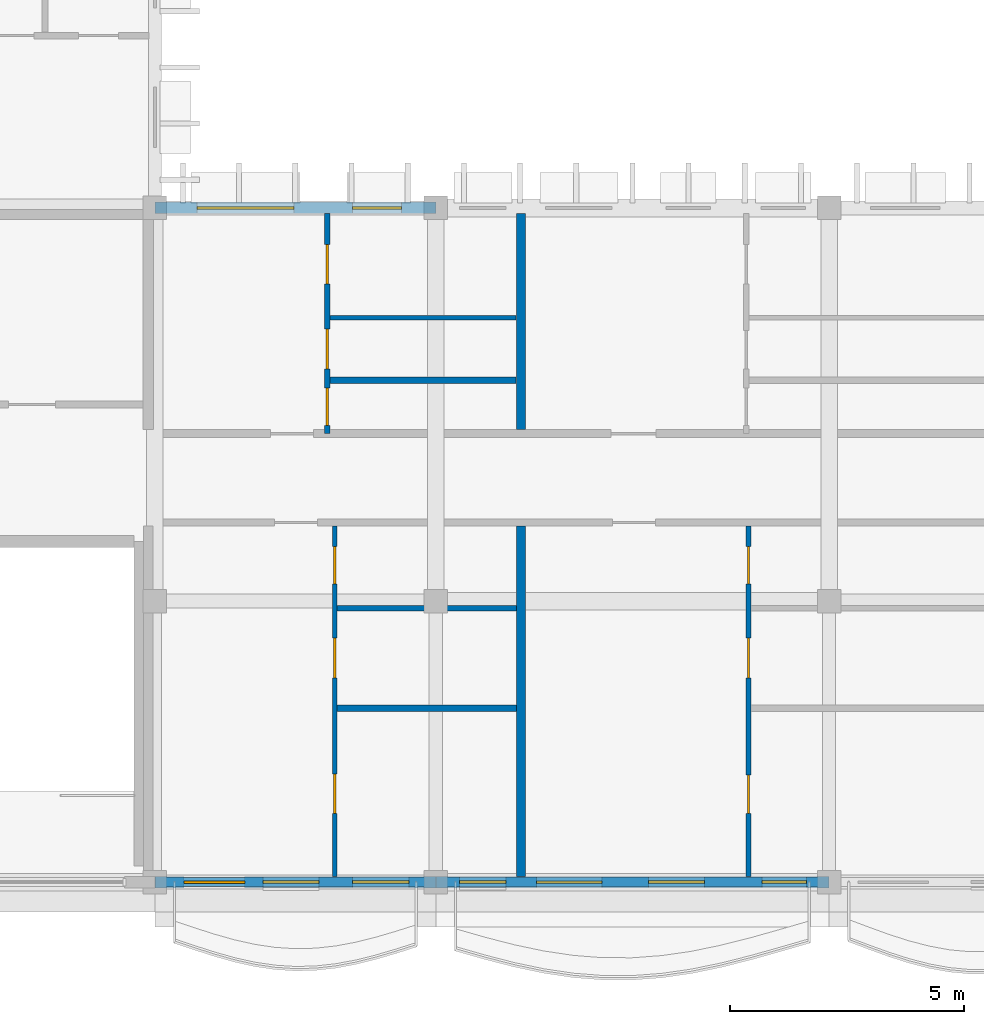
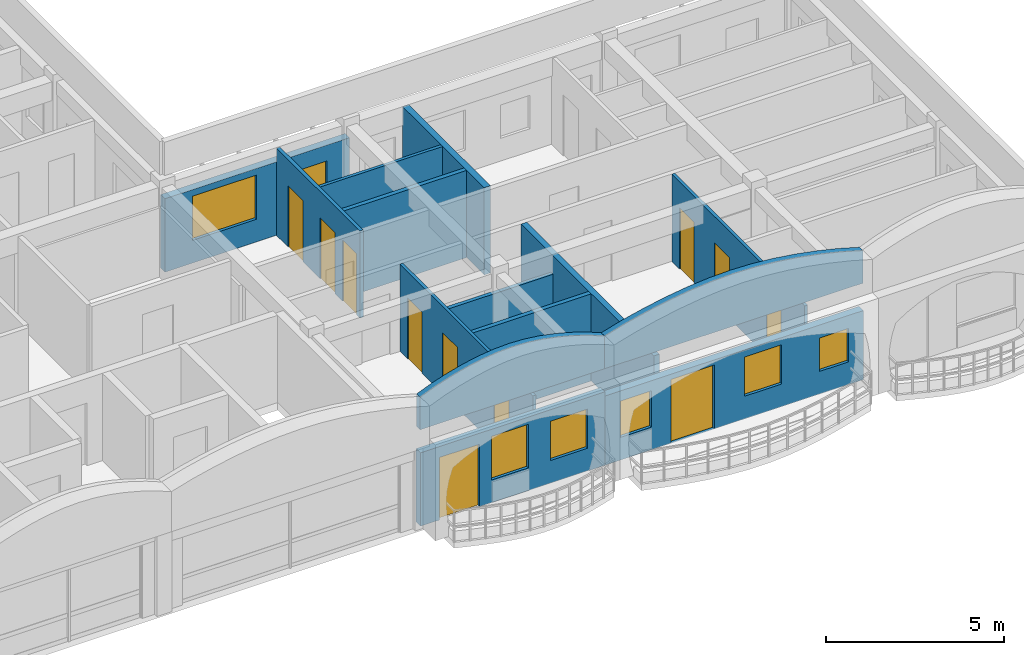
# One storey, part 11 of 45: 14 walls, 11 doors, 7 windows, 18 openings.
"""IFC4 building model written with IfcOpenShell, lengths in metres."""

from ifc_helpers import new_model, si_unit, direction, frame, frame_2d, origin, place, context, subcontext, project, spatial, polyline, rectangle, outline, extrude, material, layer, layer_set, type_object, element, fill, save


model = new_model("IFC4")

# Units and contexts
model_context = context("Model", 3, precision=1e-05, world=origin(), true_north=direction((0.0, 1.0)))
body_context = subcontext(model_context, "Body", "Model", "MODEL_VIEW")
ifc_project = project(units=[si_unit("LENGTHUNIT", "METRE"), si_unit("AREAUNIT", "SQUARE_METRE"), si_unit("VOLUMEUNIT", "CUBIC_METRE"), si_unit("PLANEANGLEUNIT", "RADIAN"), si_unit("MASSUNIT", "GRAM", prefix="KILO"), si_unit("THERMODYNAMICTEMPERATUREUNIT", "KELVIN")], contexts=[model_context])

# Site, building, storey
site_placement = place(None, origin())
site = spatial("IfcSite", under=ifc_project, at=site_placement, CompositionType="ELEMENT")
building_placement = place(site_placement, origin())
building = spatial("IfcBuilding", under=site, at=building_placement, Name="Thalorik Housing Commons", CompositionType="ELEMENT")
storey_placement = place(building_placement, frame((0.0, 0.0, 34.5)))
storey = spatial("IfcBuildingStorey", under=building, at=storey_placement, Name="L10", CompositionType="ELEMENT", Elevation=34.5)

# Wall, openings, door, windows
ifc_material_1 = material(Name="White precast concrete C40/50", Category="concrete")
ifc_layer_1 = layer(ifc_material_1, 0.2451171875, Name="White precast concrete C40/50", Category="concrete")
ifc_layer_set_1 = layer_set([ifc_layer_1], Name="White precast concrete C40/50")
wall_type_1 = type_object("IfcWallType", Name="ARC-WAL-EXT-245", PredefinedType="STANDARD", material=ifc_layer_set_1)
wall_1_placement = place(storey_placement, frame((22.800048828125, 8.39990234375, 0.0), z_axis=(0.0, 0.0, 1.0), x_axis=(1.0, 0.0, 0.0)))
wall_1 = element("IfcWall", 1, at=wall_1_placement, inside=storey, type_object=wall_type_1, Name="L10 Exterior Wall WAL-EXT-L10-C-1097", PredefinedType="STANDARD", context=body_context, shape_type="SweptSolid", body=[
    extrude(rectangle(XDim=6.0, YDim=0.2451171875, at=frame_2d((3.0, 0.0))), origin(), (0.0, 0.0, 1.0), 2.52490234375),
])
opening_1_placement = place(wall_1_placement, frame((0.6201171875, 0.0, 0.0)))
opening_1 = element("IfcOpeningElement", 2, at=opening_1_placement, cuts=wall_1, Name="Opening ED-0367", PredefinedType="OPENING", context=body_context, shape_type="SweptSolid", body=[
    extrude(rectangle(XDim=1.300048828125, YDim=2.14990234375, at=frame_2d((0.64990234375, 1.074951171875))), frame((0.0, 0.132568359375, 0.0), z_axis=(0.0, -1.0, 0.0), x_axis=(1.0, 0.0, 0.0)), (0.0, 0.0, 1.0), 0.26513671875),
])
opening_2_placement = place(wall_1_placement, frame((2.304931640625, 0.0, 0.780029296875)))
opening_2 = element("IfcOpeningElement", 3, at=opening_2_placement, cuts=wall_1, Name="Opening W-05", PredefinedType="OPENING", context=body_context, shape_type="SweptSolid", body=[
    extrude(rectangle(XDim=1.199951171875, YDim=1.5, at=frame_2d((0.60009765625, 0.75))), frame((0.0, 0.132568359375, 0.0), z_axis=(0.0, -1.0, 0.0), x_axis=(1.0, 0.0, 0.0)), (0.0, 0.0, 1.0), 0.26513671875),
])
opening_3_placement = place(wall_1_placement, frame((4.22509765625, 0.0, 0.780029296875)))
opening_3 = element("IfcOpeningElement", 4, at=opening_3_placement, cuts=wall_1, Name="Opening W-04", PredefinedType="OPENING", context=body_context, shape_type="SweptSolid", body=[
    extrude(rectangle(XDim=1.199951171875, YDim=1.35009765625, at=frame_2d((0.60009765625, 0.675048828125))), frame((0.0, 0.132568359375, 0.0), z_axis=(0.0, -1.0, 0.0), x_axis=(1.0, 0.0, 0.0)), (0.0, 0.0, 1.0), 0.26513671875),
])
ifc_material_2 = material(Name="Anodised aluminium and laminated safety glass", Category="aluminium")
door_type_1 = type_object("IfcDoorType", Name="ARC-DR-BAL-1300", OperationType="NOTDEFINED", PredefinedType="DOOR", material=ifc_material_2)
door_1_placement = place(opening_1_placement, frame((1.300048828125, 0.0, 0.0), z_axis=(0.0, 0.0, 1.0), x_axis=(-1.0, 0.0, 0.0)))
door_1 = element("IfcDoor", 5, at=door_1_placement, inside=storey, type_object=door_type_1, Name="L10 Block C Balcony Glazed Door", OperationType="SINGLE_SWING_RIGHT", OverallHeight=2.14990234375, OverallWidth=1.300048828125, PredefinedType="DOOR", context=body_context, shape_type="SweptSolid", body=[
    extrude(rectangle(XDim=1.300048828125, YDim=2.14990234375, at=frame_2d((0.64990234375, 1.074951171875))), frame((0.0, 0.02490234375, 0.0), z_axis=(0.0, -1.0, 0.0), x_axis=(1.0, 0.0, 0.0)), (0.0, 0.0, 1.0), 0.050048828125),
])
fill(opening_1, door_1)
ifc_material_3 = material(Name="Anodised aluminium and solar-control low-E glass", Category="aluminium")
window_type_1 = type_object("IfcWindowType", Name="ARC-WIN-04", PartitioningType="SINGLE_PANEL", PredefinedType="WINDOW", material=ifc_material_3)
window_1_placement = place(opening_3_placement, origin())
window_1 = element("IfcWindow", 6, at=window_1_placement, inside=storey, type_object=window_type_1, Name="L10 Facade Window 2019", OverallHeight=1.35009765625, OverallWidth=1.199951171875, PartitioningType="SINGLE_PANEL", PredefinedType="WINDOW", context=body_context, shape_type="SweptSolid", body=[
    extrude(rectangle(XDim=1.199951171875, YDim=1.35009765625, at=frame_2d((0.60009765625, 0.675048828125))), frame((0.0, 0.030029296875, 0.0), z_axis=(0.0, -1.0, 0.0), x_axis=(1.0, 0.0, 0.0)), (0.0, 0.0, 1.0), 0.06005859375),
])
fill(opening_3, window_1)
window_type_2 = type_object("IfcWindowType", Name="ARC-WIN-05", PartitioningType="SINGLE_PANEL", PredefinedType="WINDOW", material=ifc_material_3)
window_2_placement = place(opening_2_placement, origin())
window_2 = element("IfcWindow", 7, at=window_2_placement, inside=storey, type_object=window_type_2, Name="L10 Facade Window 2018", OverallHeight=1.5, OverallWidth=1.199951171875, PartitioningType="SINGLE_PANEL", PredefinedType="WINDOW", context=body_context, shape_type="SweptSolid", body=[
    extrude(rectangle(XDim=1.199951171875, YDim=1.5, at=frame_2d((0.60009765625, 0.75))), frame((0.0, 0.030029296875, 0.0), z_axis=(0.0, -1.0, 0.0), x_axis=(1.0, 0.0, 0.0)), (0.0, 0.0, 1.0), 0.06005859375),
])
fill(opening_2, window_2)

wall_2_placement = place(storey_placement, frame((28.800048828125, 8.39990234375, 0.0), z_axis=(0.0, 0.0, 1.0), x_axis=(1.0, 0.0, 0.0)))
wall_2 = element("IfcWall", 8, at=wall_2_placement, inside=storey, type_object=wall_type_1, Name="L10 Exterior Wall WAL-EXT-L10-C-1098", PredefinedType="STANDARD", context=body_context, shape_type="SweptSolid", body=[
    extrude(rectangle(XDim=8.39990234375, YDim=0.2451171875, at=frame_2d((4.199951171875, 0.0))), origin(), (0.0, 0.0, 1.0), 2.375),
])
opening_4_placement = place(wall_2_placement, frame((2.14990234375, 0.0, 0.0)))
opening_4 = element("IfcOpeningElement", 9, at=opening_4_placement, cuts=wall_2, Name="Opening ED-0368", PredefinedType="OPENING", context=body_context, shape_type="SweptSolid", body=[
    extrude(rectangle(XDim=1.39990234375, YDim=2.199951171875, at=frame_2d((0.699951171875, 1.10009765625))), frame((0.0, 0.132568359375, 0.0), z_axis=(0.0, -1.0, 0.0), x_axis=(1.0, 0.0, 0.0)), (0.0, 0.0, 1.0), 0.26513671875),
])
opening_5_placement = place(wall_2_placement, frame((0.5048828125, 0.0, 0.780029296875)))
opening_5 = element("IfcOpeningElement", 10, at=opening_5_placement, cuts=wall_2, Name="Opening W-02", PredefinedType="OPENING", context=body_context, shape_type="SweptSolid", body=[
    extrude(rectangle(XDim=1.0, YDim=1.25, at=frame_2d((0.5, 0.625))), frame((0.0, 0.132568359375, 0.0), z_axis=(0.0, -1.0, 0.0), x_axis=(1.0, 0.0, 0.0)), (0.0, 0.0, 1.0), 0.26513671875),
])
opening_6_placement = place(wall_2_placement, frame((4.5400390625, 0.0, 0.780029296875)))
opening_6 = element("IfcOpeningElement", 11, at=opening_6_placement, cuts=wall_2, Name="Opening W-04", PredefinedType="OPENING", context=body_context, shape_type="SweptSolid", body=[
    extrude(rectangle(XDim=1.199951171875, YDim=1.35009765625, at=frame_2d((0.60009765625, 0.675048828125))), frame((0.0, 0.132568359375, 0.0), z_axis=(0.0, -1.0, 0.0), x_axis=(1.0, 0.0, 0.0)), (0.0, 0.0, 1.0), 0.26513671875),
])
opening_7_placement = place(wall_2_placement, frame((6.969970703125, 0.0, 0.780029296875)))
opening_7 = element("IfcOpeningElement", 12, at=opening_7_placement, cuts=wall_2, Name="Opening W-43", PredefinedType="OPENING", context=body_context, shape_type="SweptSolid", body=[
    extrude(rectangle(XDim=0.949951171875, YDim=1.14990234375, at=frame_2d((0.47509765625, 0.574951171875))), frame((0.0, 0.132568359375, 0.0), z_axis=(0.0, -1.0, 0.0), x_axis=(1.0, 0.0, 0.0)), (0.0, 0.0, 1.0), 0.26513671875),
])
door_type_2 = type_object("IfcDoorType", Name="ARC-DR-BAL-1400", OperationType="NOTDEFINED", PredefinedType="DOOR", material=ifc_material_2)
door_2_placement = place(opening_4_placement, frame((1.39990234375, 0.0, 0.0), z_axis=(0.0, 0.0, 1.0), x_axis=(-1.0, 0.0, 0.0)))
door_2 = element("IfcDoor", 13, at=door_2_placement, inside=storey, type_object=door_type_2, Name="L10 Block C Balcony Glazed Door", OperationType="SLIDING_TO_LEFT", OverallHeight=2.199951171875, OverallWidth=1.39990234375, PredefinedType="DOOR", context=body_context, shape_type="SweptSolid", body=[
    extrude(rectangle(XDim=1.39990234375, YDim=2.199951171875, at=frame_2d((0.699951171875, 1.10009765625))), frame((0.0, 0.02490234375, 0.0), z_axis=(0.0, -1.0, 0.0), x_axis=(1.0, 0.0, 0.0)), (0.0, 0.0, 1.0), 0.050048828125),
])
fill(opening_4, door_2)
window_type_3 = type_object("IfcWindowType", Name="ARC-WIN-02", PartitioningType="SINGLE_PANEL", PredefinedType="WINDOW", material=ifc_material_3)
window_3_placement = place(opening_5_placement, origin())
window_3 = element("IfcWindow", 14, at=window_3_placement, inside=storey, type_object=window_type_3, Name="L10 Facade Window 2020", OverallHeight=1.25, OverallWidth=1.0, PartitioningType="SINGLE_PANEL", PredefinedType="WINDOW", context=body_context, shape_type="SweptSolid", body=[
    extrude(rectangle(XDim=1.0, YDim=1.25, at=frame_2d((0.5, 0.625))), frame((0.0, 0.030029296875, 0.0), z_axis=(0.0, -1.0, 0.0), x_axis=(1.0, 0.0, 0.0)), (0.0, 0.0, 1.0), 0.06005859375),
])
fill(opening_5, window_3)
window_4_placement = place(opening_6_placement, origin())
window_4 = element("IfcWindow", 15, at=window_4_placement, inside=storey, type_object=window_type_1, Name="L10 Facade Window 2021", OverallHeight=1.35009765625, OverallWidth=1.199951171875, PartitioningType="SINGLE_PANEL", PredefinedType="WINDOW", context=body_context, shape_type="SweptSolid", body=[
    extrude(rectangle(XDim=1.199951171875, YDim=1.35009765625, at=frame_2d((0.60009765625, 0.675048828125))), frame((0.0, 0.030029296875, 0.0), z_axis=(0.0, -1.0, 0.0), x_axis=(1.0, 0.0, 0.0)), (0.0, 0.0, 1.0), 0.06005859375),
])
fill(opening_6, window_4)
window_type_4 = type_object("IfcWindowType", Name="ARC-WIN-43", PartitioningType="SINGLE_PANEL", PredefinedType="WINDOW", material=ifc_material_3)
window_5_placement = place(opening_7_placement, origin())
window_5 = element("IfcWindow", 16, at=window_5_placement, inside=storey, type_object=window_type_4, Name="L10 Facade Window 2022", OverallHeight=1.14990234375, OverallWidth=0.949951171875, PartitioningType="SINGLE_PANEL", PredefinedType="WINDOW", context=body_context, shape_type="SweptSolid", body=[
    extrude(rectangle(XDim=0.949951171875, YDim=1.14990234375, at=frame_2d((0.47509765625, 0.574951171875))), frame((0.0, 0.030029296875, 0.0), z_axis=(0.0, -1.0, 0.0), x_axis=(1.0, 0.0, 0.0)), (0.0, 0.0, 1.0), 0.06005859375),
])
fill(opening_7, window_5)

# Wall, openings, windows
wall_3_placement = place(storey_placement, frame((28.800048828125, 22.800048828125, 0.0), z_axis=(0.0, 0.0, 1.0), x_axis=(-1.0, 0.0, 0.0)))
wall_3 = element("IfcWall", 17, at=wall_3_placement, inside=storey, type_object=wall_type_1, Name="L10 Exterior Wall WAL-EXT-L10-C-1104", PredefinedType="STANDARD", context=body_context, shape_type="SweptSolid", body=[
    extrude(rectangle(XDim=6.0, YDim=0.2451171875, at=frame_2d((3.0, 0.0))), origin(), (0.0, 0.0, 1.0), 2.52490234375),
])
opening_8_placement = place(wall_3_placement, frame((0.7294921875, 0.0, 0.780029296875)))
opening_8 = element("IfcOpeningElement", 18, at=opening_8_placement, cuts=wall_3, Name="Opening W-44", PredefinedType="OPENING", context=body_context, shape_type="SweptSolid", body=[
    extrude(rectangle(XDim=1.050048828125, YDim=1.199951171875, at=frame_2d((0.52490234375, 0.60009765625))), frame((0.0, 0.132568359375, 0.0), z_axis=(0.0, -1.0, 0.0), x_axis=(1.0, 0.0, 0.0)), (0.0, 0.0, 1.0), 0.26513671875),
])
opening_9_placement = place(wall_3_placement, frame((3.024658203125, 0.0, 0.780029296875)))
opening_9 = element("IfcOpeningElement", 19, at=opening_9_placement, cuts=wall_3, Name="Opening W-63", PredefinedType="OPENING", context=body_context, shape_type="SweptSolid", body=[
    extrude(rectangle(XDim=2.080078125, YDim=1.52001953125, at=frame_2d((1.0400390625, 0.760009765625))), frame((0.0, 0.132568359375, 0.0), z_axis=(0.0, -1.0, 0.0), x_axis=(1.0, 0.0, 0.0)), (0.0, 0.0, 1.0), 0.26513671875),
])
window_type_5 = type_object("IfcWindowType", Name="ARC-WIN-44", PartitioningType="SINGLE_PANEL", PredefinedType="WINDOW", material=ifc_material_3)
window_6_placement = place(opening_8_placement, origin())
window_6 = element("IfcWindow", 20, at=window_6_placement, inside=storey, type_object=window_type_5, Name="L10 Facade Window 2035", OverallHeight=1.199951171875, OverallWidth=1.050048828125, PartitioningType="SINGLE_PANEL", PredefinedType="WINDOW", context=body_context, shape_type="SweptSolid", body=[
    extrude(rectangle(XDim=1.050048828125, YDim=1.199951171875, at=frame_2d((0.52490234375, 0.60009765625))), frame((0.0, 0.030029296875, 0.0), z_axis=(0.0, -1.0, 0.0), x_axis=(1.0, 0.0, 0.0)), (0.0, 0.0, 1.0), 0.06005859375),
])
fill(opening_8, window_6)
window_type_6 = type_object("IfcWindowType", Name="ARC-WIN-63", PartitioningType="DOUBLE_PANEL_VERTICAL", PredefinedType="WINDOW", material=ifc_material_3)
window_7_placement = place(opening_9_placement, origin())
window_7 = element("IfcWindow", 21, at=window_7_placement, inside=storey, type_object=window_type_6, Name="L10 Facade Window 2036", OverallHeight=1.52001953125, OverallWidth=2.080078125, PartitioningType="DOUBLE_PANEL_VERTICAL", PredefinedType="WINDOW", context=body_context, shape_type="SweptSolid", body=[
    extrude(rectangle(XDim=2.080078125, YDim=1.52001953125, at=frame_2d((1.0400390625, 0.760009765625))), frame((0.0, 0.030029296875, 0.0), z_axis=(0.0, -1.0, 0.0), x_axis=(1.0, 0.0, 0.0)), (0.0, 0.0, 1.0), 0.06005859375),
])
fill(opening_9, window_7)

# Walls
ifc_layer_2 = layer(ifc_material_1, 0.195068359375, Name="White precast concrete C40/50", Category="concrete")
ifc_layer_set_2 = layer_set([ifc_layer_2], Name="White precast concrete C40/50")
wall_type_2 = type_object("IfcWallType", Name="ARC-WAL-PAR-195", PredefinedType="PARAPET", material=ifc_layer_set_2)
wall_4_placement = place(storey_placement, frame((22.800048828125, 8.39990234375, 3.300048828125), z_axis=(0.0, 0.0, 1.0), x_axis=(1.0, 0.0, 0.0)))
element("IfcWall", 22, at=wall_4_placement, inside=storey, type_object=wall_type_2, Name="L10 Block C Scalloped Arched Roof Parapet 40", PredefinedType="PARAPET", context=body_context, shape_type="SweptSolid", body=[
    extrude(outline(polyline([(0.0, 0.0), (6.0, 0.0), (6.0, 1.119873046875), (5.5, 1.321533203125), (5.0, 1.484375), (4.5, 1.61767578125), (4.0, 1.71728515625), (3.5, 1.779052734375), (3.0, 1.800048828125), (2.5, 1.779052734375), (2.0, 1.71728515625), (1.5, 1.61767578125), (1.0, 1.484375), (0.5, 1.321533203125), (0.0, 1.119873046875), (0.0, 0.0)])), frame((0.0, 0.09765625, 0.0), z_axis=(0.0, -1.0, 0.0), x_axis=(1.0, 0.0, 0.0)), (0.0, 0.0, 1.0), 0.195068359375),
])
wall_5_placement = place(storey_placement, frame((28.800048828125, 8.39990234375, 3.300048828125), z_axis=(0.0, 0.0, 1.0), x_axis=(1.0, 0.0, 0.0)))
element("IfcWall", 23, at=wall_5_placement, inside=storey, type_object=wall_type_2, Name="L10 Block C Scalloped Arched Roof Parapet 41", PredefinedType="PARAPET", context=body_context, shape_type="SweptSolid", body=[
    extrude(outline(polyline([(0.0, 0.0), (8.39990234375, 0.0), (8.39990234375, 1.119873046875), (7.699951171875, 1.321533203125), (7.0, 1.484375), (6.300048828125, 1.61767578125), (5.60009765625, 1.71728515625), (4.89990234375, 1.779052734375), (4.199951171875, 1.800048828125), (3.5, 1.779052734375), (2.800048828125, 1.71728515625), (2.10009765625, 1.61767578125), (1.39990234375, 1.484375), (0.699951171875, 1.321533203125), (0.0, 1.119873046875), (0.0, 0.0)])), frame((0.0, 0.09765625, 0.0), z_axis=(0.0, -1.0, 0.0), x_axis=(1.0, 0.0, 0.0)), (0.0, 0.0, 1.0), 0.195068359375),
])

# Wall, openings, doors
ifc_material_4 = material(Name="Gypsum light stud partition", Category="masonry")
ifc_layer_3 = layer(ifc_material_4, 0.10009765625, Name="Gypsum light stud partition", Category="masonry")
ifc_layer_set_3 = layer_set([ifc_layer_3], Name="Gypsum light stud partition")
wall_type_3 = type_object("IfcWallType", Name="ARC-WAL-PART-100", PredefinedType="PARTITIONING", material=ifc_layer_set_3)
wall_6_placement = place(storey_placement, frame((26.639892578125, 8.5244140625, 0.0), z_axis=(0.0, 0.0, 1.0), x_axis=(0.0, 1.0, 0.0)))
wall_6 = element("IfcWall", 24, at=wall_6_placement, inside=storey, type_object=wall_type_3, Name="L10 Unit 1 Spine Partition", PredefinedType="PARTITIONING", context=body_context, shape_type="SweptSolid", body=[
    extrude(rectangle(XDim=7.478515625, YDim=0.10009765625, at=frame_2d((3.7392578125, 0.0))), origin(), (0.0, 0.0, 1.0), 3.0),
])
opening_10_placement = place(wall_6_placement, frame((1.33935546875, 0.0, 0.0)))
opening_10 = element("IfcOpeningElement", 25, at=opening_10_placement, cuts=wall_6, Name="Opening ID-1970", PredefinedType="OPENING", context=body_context, shape_type="SweptSolid", body=[
    extrude(rectangle(XDim=0.85009765625, YDim=2.10009765625, at=frame_2d((0.425048828125, 1.050048828125))), frame((0.0, 0.06005859375, 0.0), z_axis=(0.0, -1.0, 0.0), x_axis=(1.0, 0.0, 0.0)), (0.0, 0.0, 1.0), 0.1201171875),
])
opening_11_placement = place(wall_6_placement, frame((4.23486328125, 0.0, 0.0)))
opening_11 = element("IfcOpeningElement", 26, at=opening_11_placement, cuts=wall_6, Name="Opening ID-1971", PredefinedType="OPENING", context=body_context, shape_type="SweptSolid", body=[
    extrude(rectangle(XDim=0.85009765625, YDim=2.10009765625, at=frame_2d((0.425048828125, 1.050048828125))), frame((0.0, 0.06005859375, 0.0), z_axis=(0.0, -1.0, 0.0), x_axis=(1.0, 0.0, 0.0)), (0.0, 0.0, 1.0), 0.1201171875),
])
opening_12_placement = place(wall_6_placement, frame((6.2412109375, 0.0, 0.0)))
opening_12 = element("IfcOpeningElement", 27, at=opening_12_placement, cuts=wall_6, Name="Opening ID-1972", PredefinedType="OPENING", context=body_context, shape_type="SweptSolid", body=[
    extrude(rectangle(XDim=0.800048828125, YDim=2.10009765625, at=frame_2d((0.39990234375, 1.050048828125))), frame((0.0, 0.06005859375, 0.0), z_axis=(0.0, -1.0, 0.0), x_axis=(1.0, 0.0, 0.0)), (0.0, 0.0, 1.0), 0.1201171875),
])
ifc_material_5 = material(Name="Moisture-resistant timber", Category="wood")
door_type_3 = type_object("IfcDoorType", Name="ARC-DR-INT-800", OperationType="NOTDEFINED", PredefinedType="DOOR", material=ifc_material_5)
door_3_placement = place(opening_12_placement, origin())
door_3 = element("IfcDoor", 28, at=door_3_placement, inside=storey, type_object=door_type_3, Name="L10 Accessible Bathroom Door", OperationType="SINGLE_SWING_LEFT", OverallHeight=2.10009765625, OverallWidth=0.800048828125, PredefinedType="DOOR", context=body_context, shape_type="SweptSolid", body=[
    extrude(rectangle(XDim=0.800048828125, YDim=2.10009765625, at=frame_2d((0.39990234375, 1.050048828125))), frame((0.0, 0.02490234375, 0.0), z_axis=(0.0, -1.0, 0.0), x_axis=(1.0, 0.0, 0.0)), (0.0, 0.0, 1.0), 0.050048828125),
])
fill(opening_12, door_3)
ifc_material_6 = material(Name="Engineered oak timber", Category="wood")
door_type_4 = type_object("IfcDoorType", Name="ARC-DR-INT-850", OperationType="NOTDEFINED", PredefinedType="DOOR", material=ifc_material_6)
door_4_placement = place(opening_10_placement, origin())
door_4 = element("IfcDoor", 29, at=door_4_placement, inside=storey, type_object=door_type_4, Name="L10 Master Bedroom Door", OperationType="SINGLE_SWING_LEFT", OverallHeight=2.10009765625, OverallWidth=0.85009765625, PredefinedType="DOOR", context=body_context, shape_type="SweptSolid", body=[
    extrude(rectangle(XDim=0.85009765625, YDim=2.10009765625, at=frame_2d((0.425048828125, 1.050048828125))), frame((0.0, 0.02490234375, 0.0), z_axis=(0.0, -1.0, 0.0), x_axis=(1.0, 0.0, 0.0)), (0.0, 0.0, 1.0), 0.050048828125),
])
fill(opening_10, door_4)
door_5_placement = place(opening_11_placement, origin())
door_5 = element("IfcDoor", 30, at=door_5_placement, inside=storey, type_object=door_type_4, Name="L10 Eat-In Kitchen Door", OperationType="SINGLE_SWING_RIGHT", OverallHeight=2.10009765625, OverallWidth=0.85009765625, PredefinedType="DOOR", context=body_context, shape_type="SweptSolid", body=[
    extrude(rectangle(XDim=0.85009765625, YDim=2.10009765625, at=frame_2d((0.425048828125, 1.050048828125))), frame((0.0, 0.02490234375, 0.0), z_axis=(0.0, -1.0, 0.0), x_axis=(1.0, 0.0, 0.0)), (0.0, 0.0, 1.0), 0.050048828125),
])
fill(opening_11, door_5)

# Wall
wall_7_placement = place(storey_placement, frame((26.540283203125, 20.455078125, 0.0), z_axis=(0.0, 0.0, 1.0), x_axis=(1.0, 0.0, 0.0)))
element("IfcWall", 31, at=wall_7_placement, inside=storey, type_object=wall_type_3, Name="L10 Unit 1B Bedroom Partition", PredefinedType="PARTITIONING", context=body_context, shape_type="SweptSolid", body=[
    extrude(rectangle(XDim=3.977783203125, YDim=0.10009765625, at=frame_2d((1.98876953125, 0.0))), origin(), (0.0, 0.0, 1.0), 3.0),
])

# Wall, openings, doors
wall_8_placement = place(storey_placement, frame((35.47998046875, 8.5244140625, 0.0), z_axis=(0.0, 0.0, 1.0), x_axis=(0.0, 1.0, 0.0)))
wall_8 = element("IfcWall", 32, at=wall_8_placement, inside=storey, type_object=wall_type_3, Name="L10 Unit 2 Spine Partition", PredefinedType="PARTITIONING", context=body_context, shape_type="SweptSolid", body=[
    extrude(rectangle(XDim=7.478515625, YDim=0.10009765625, at=frame_2d((3.7392578125, 0.0))), origin(), (0.0, 0.0, 1.0), 3.0),
])
opening_13_placement = place(wall_8_placement, frame((1.33935546875, 0.0, 0.0)))
opening_13 = element("IfcOpeningElement", 33, at=opening_13_placement, cuts=wall_8, Name="Opening ID-1976", PredefinedType="OPENING", context=body_context, shape_type="SweptSolid", body=[
    extrude(rectangle(XDim=0.820068359375, YDim=2.080078125, at=frame_2d((0.41015625, 1.0400390625))), frame((0.0, 0.06005859375, 0.0), z_axis=(0.0, -1.0, 0.0), x_axis=(1.0, 0.0, 0.0)), (0.0, 0.0, 1.0), 0.1201171875),
])
opening_14_placement = place(wall_8_placement, frame((4.23486328125, 0.0, 0.0)))
opening_14 = element("IfcOpeningElement", 34, at=opening_14_placement, cuts=wall_8, Name="Opening ID-1977", PredefinedType="OPENING", context=body_context, shape_type="SweptSolid", body=[
    extrude(rectangle(XDim=0.85009765625, YDim=2.10009765625, at=frame_2d((0.425048828125, 1.050048828125))), frame((0.0, 0.06005859375, 0.0), z_axis=(0.0, -1.0, 0.0), x_axis=(1.0, 0.0, 0.0)), (0.0, 0.0, 1.0), 0.1201171875),
])
opening_15_placement = place(wall_8_placement, frame((6.2412109375, 0.0, 0.0)))
opening_15 = element("IfcOpeningElement", 35, at=opening_15_placement, cuts=wall_8, Name="Opening ID-1978", PredefinedType="OPENING", context=body_context, shape_type="SweptSolid", body=[
    extrude(rectangle(XDim=0.800048828125, YDim=2.10009765625, at=frame_2d((0.39990234375, 1.050048828125))), frame((0.0, 0.06005859375, 0.0), z_axis=(0.0, -1.0, 0.0), x_axis=(1.0, 0.0, 0.0)), (0.0, 0.0, 1.0), 0.1201171875),
])
door_6_placement = place(opening_15_placement, origin())
door_6 = element("IfcDoor", 36, at=door_6_placement, inside=storey, type_object=door_type_3, Name="L10 Flat Bathroom Door", OperationType="SINGLE_SWING_LEFT", OverallHeight=2.10009765625, OverallWidth=0.800048828125, PredefinedType="DOOR", context=body_context, shape_type="SweptSolid", body=[
    extrude(rectangle(XDim=0.800048828125, YDim=2.10009765625, at=frame_2d((0.39990234375, 1.050048828125))), frame((0.0, 0.02490234375, 0.0), z_axis=(0.0, -1.0, 0.0), x_axis=(1.0, 0.0, 0.0)), (0.0, 0.0, 1.0), 0.050048828125),
])
fill(opening_15, door_6)
door_type_5 = type_object("IfcDoorType", Name="ARC-DR-INT-820", OperationType="NOTDEFINED", PredefinedType="DOOR", material=ifc_material_6)
door_7_placement = place(opening_13_placement, origin())
door_7 = element("IfcDoor", 37, at=door_7_placement, inside=storey, type_object=door_type_5, Name="L10 Double Bedroom Door", OperationType="SINGLE_SWING_LEFT", OverallHeight=2.080078125, OverallWidth=0.820068359375, PredefinedType="DOOR", context=body_context, shape_type="SweptSolid", body=[
    extrude(rectangle(XDim=0.820068359375, YDim=2.080078125, at=frame_2d((0.41015625, 1.0400390625))), frame((0.0, 0.02490234375, 0.0), z_axis=(0.0, -1.0, 0.0), x_axis=(1.0, 0.0, 0.0)), (0.0, 0.0, 1.0), 0.050048828125),
])
fill(opening_13, door_7)
door_8_placement = place(opening_14_placement, origin())
door_8 = element("IfcDoor", 38, at=door_8_placement, inside=storey, type_object=door_type_4, Name="L10 Galley Kitchen Door", OperationType="SINGLE_SWING_RIGHT", OverallHeight=2.10009765625, OverallWidth=0.85009765625, PredefinedType="DOOR", context=body_context, shape_type="SweptSolid", body=[
    extrude(rectangle(XDim=0.85009765625, YDim=2.10009765625, at=frame_2d((0.425048828125, 1.050048828125))), frame((0.0, 0.02490234375, 0.0), z_axis=(0.0, -1.0, 0.0), x_axis=(1.0, 0.0, 0.0)), (0.0, 0.0, 1.0), 0.050048828125),
])
fill(opening_14, door_8)

ifc_material_7 = material(Name="Gypsum moisture-resistant partition", Category="masonry")
ifc_layer_4 = layer(ifc_material_7, 0.114990234375, Name="Gypsum moisture-resistant partition", Category="masonry")
ifc_layer_set_4 = layer_set([ifc_layer_4], Name="Gypsum moisture-resistant partition")
wall_type_4 = type_object("IfcWallType", Name="ARC-WAL-PART-115", PredefinedType="PARTITIONING", material=ifc_layer_set_4)
wall_9_placement = place(storey_placement, frame((26.480712890625, 17.97998046875, 0.0), z_axis=(0.0, 0.0, 1.0), x_axis=(0.0, 1.0, 0.0)))
wall_9 = element("IfcWall", 39, at=wall_9_placement, inside=storey, type_object=wall_type_4, Name="L10 Unit 1B Spine Partition", PredefinedType="PARTITIONING", context=body_context, shape_type="SweptSolid", body=[
    extrude(rectangle(XDim=4.695556640625, YDim=0.114990234375, at=frame_2d((2.34765625, 0.0))), origin(), (0.0, 0.0, 1.0), 3.0),
])
opening_16_placement = place(wall_9_placement, frame((0.171142578125, 0.0, 0.0)))
opening_16 = element("IfcOpeningElement", 40, at=opening_16_placement, cuts=wall_9, Name="Opening ID-1973", PredefinedType="OPENING", context=body_context, shape_type="SweptSolid", body=[
    extrude(rectangle(XDim=0.800048828125, YDim=2.10009765625, at=frame_2d((0.39990234375, 1.050048828125))), frame((0.0, 0.0673828125, 0.0), z_axis=(0.0, -1.0, 0.0), x_axis=(1.0, 0.0, 0.0)), (0.0, 0.0, 1.0), 0.135009765625),
])
opening_17_placement = place(wall_9_placement, frame((1.3837890625, 0.0, 0.0)))
opening_17 = element("IfcOpeningElement", 41, at=opening_17_placement, cuts=wall_9, Name="Opening ID-1974", PredefinedType="OPENING", context=body_context, shape_type="SweptSolid", body=[
    extrude(rectangle(XDim=0.85009765625, YDim=2.10009765625, at=frame_2d((0.425048828125, 1.050048828125))), frame((0.0, 0.0673828125, 0.0), z_axis=(0.0, -1.0, 0.0), x_axis=(1.0, 0.0, 0.0)), (0.0, 0.0, 1.0), 0.135009765625),
])
opening_18_placement = place(wall_9_placement, frame((3.192626953125, 0.0, 0.0)))
opening_18 = element("IfcOpeningElement", 42, at=opening_18_placement, cuts=wall_9, Name="Opening ID-1975", PredefinedType="OPENING", context=body_context, shape_type="SweptSolid", body=[
    extrude(rectangle(XDim=0.85009765625, YDim=2.10009765625, at=frame_2d((0.425048828125, 1.050048828125))), frame((0.0, 0.0673828125, 0.0), z_axis=(0.0, -1.0, 0.0), x_axis=(1.0, 0.0, 0.0)), (0.0, 0.0, 1.0), 0.135009765625),
])
door_9_placement = place(opening_16_placement, origin())
door_9 = element("IfcDoor", 43, at=door_9_placement, inside=storey, type_object=door_type_3, Name="L10 Accessible Bathroom Door", OperationType="SINGLE_SWING_RIGHT", OverallHeight=2.10009765625, OverallWidth=0.800048828125, PredefinedType="DOOR", context=body_context, shape_type="SweptSolid", body=[
    extrude(rectangle(XDim=0.800048828125, YDim=2.10009765625, at=frame_2d((0.39990234375, 1.050048828125))), frame((0.0, 0.02490234375, 0.0), z_axis=(0.0, -1.0, 0.0), x_axis=(1.0, 0.0, 0.0)), (0.0, 0.0, 1.0), 0.050048828125),
])
fill(opening_16, door_9)
door_10_placement = place(opening_17_placement, origin())
door_10 = element("IfcDoor", 44, at=door_10_placement, inside=storey, type_object=door_type_4, Name="L10 Eat-In Kitchen Door", OperationType="SINGLE_SWING_LEFT", OverallHeight=2.10009765625, OverallWidth=0.85009765625, PredefinedType="DOOR", context=body_context, shape_type="SweptSolid", body=[
    extrude(rectangle(XDim=0.85009765625, YDim=2.10009765625, at=frame_2d((0.425048828125, 1.050048828125))), frame((0.0, 0.02490234375, 0.0), z_axis=(0.0, -1.0, 0.0), x_axis=(1.0, 0.0, 0.0)), (0.0, 0.0, 1.0), 0.050048828125),
])
fill(opening_17, door_10)
door_11_placement = place(opening_18_placement, origin())
door_11 = element("IfcDoor", 45, at=door_11_placement, inside=storey, type_object=door_type_4, Name="L10 Double Bedroom Door", OperationType="SINGLE_SWING_RIGHT", OverallHeight=2.10009765625, OverallWidth=0.85009765625, PredefinedType="DOOR", context=body_context, shape_type="SweptSolid", body=[
    extrude(rectangle(XDim=0.85009765625, YDim=2.10009765625, at=frame_2d((0.425048828125, 1.050048828125))), frame((0.0, 0.02490234375, 0.0), z_axis=(0.0, -1.0, 0.0), x_axis=(1.0, 0.0, 0.0)), (0.0, 0.0, 1.0), 0.050048828125),
])
fill(opening_18, door_11)

# Walls
ifc_material_8 = material(Name="Gypsum acoustic stud partition", Category="masonry")
ifc_layer_5 = layer(ifc_material_8, 0.125, Name="Gypsum acoustic stud partition", Category="masonry")
ifc_layer_set_5 = layer_set([ifc_layer_5], Name="Gypsum acoustic stud partition")
wall_type_5 = type_object("IfcWallType", Name="ARC-WAL-PART-125", PredefinedType="PARTITIONING", material=ifc_layer_set_5)
wall_10_placement = place(storey_placement, frame((26.69189453125, 14.251220703125, 0.0), z_axis=(0.0, 0.0, 1.0), x_axis=(1.0, 0.0, 0.0)))
element("IfcWall", 46, at=wall_10_placement, inside=storey, type_object=wall_type_5, Name="L10 Unit 1 Wet Wall", PredefinedType="PARTITIONING", context=body_context, shape_type="SweptSolid", body=[
    extrude(rectangle(XDim=3.83349609375, YDim=0.125, at=frame_2d((1.916748046875, 0.0))), origin(), (0.0, 0.0, 1.0), 2.375),
])
ifc_material_9 = material(Name="Ceramic masonry partition wall", Category="masonry")
ifc_layer_6 = layer(ifc_material_9, 0.139892578125, Name="Ceramic masonry partition wall", Category="masonry")
ifc_layer_set_6 = layer_set([ifc_layer_6], Name="Ceramic masonry partition wall")
wall_type_6 = type_object("IfcWallType", Name="ARC-WAL-PART-140", PredefinedType="PARTITIONING", material=ifc_layer_set_6)
wall_11_placement = place(storey_placement, frame((26.69189453125, 12.11767578125, 0.0), z_axis=(0.0, 0.0, 1.0), x_axis=(1.0, 0.0, 0.0)))
element("IfcWall", 47, at=wall_11_placement, inside=storey, type_object=wall_type_6, Name="L10 Unit 1 Bedroom Partition", PredefinedType="PARTITIONING", context=body_context, shape_type="SweptSolid", body=[
    extrude(rectangle(XDim=3.83349609375, YDim=0.139892578125, at=frame_2d((1.916748046875, 0.0))), origin(), (0.0, 0.0, 1.0), 3.0),
])
wall_12_placement = place(storey_placement, frame((26.540283203125, 19.122314453125, 0.0), z_axis=(0.0, 0.0, 1.0), x_axis=(1.0, 0.0, 0.0)))
element("IfcWall", 48, at=wall_12_placement, inside=storey, type_object=wall_type_6, Name="L10 Unit 1B Wet Wall", PredefinedType="PARTITIONING", context=body_context, shape_type="SweptSolid", body=[
    extrude(rectangle(XDim=3.977783203125, YDim=0.139892578125, at=frame_2d((1.98876953125, 0.0))), origin(), (0.0, 0.0, 1.0), 3.0),
])
ifc_material_10 = material(Name="Masonry acoustic blockwork wall", Category="masonry")
ifc_layer_7 = layer(ifc_material_10, 0.18505859375, Name="Masonry acoustic blockwork wall", Category="masonry")
ifc_layer_set_7 = layer_set([ifc_layer_7], Name="Masonry acoustic blockwork wall")
wall_type_7 = type_object("IfcWallType", Name="ARC-WAL-PARTY-185", PredefinedType="PARTITIONING", material=ifc_layer_set_7)
wall_13_placement = place(storey_placement, frame((30.6201171875, 8.5244140625, 0.0), z_axis=(0.0, 0.0, 1.0), x_axis=(0.0, 1.0, 0.0)))
element("IfcWall", 49, at=wall_13_placement, inside=storey, type_object=wall_type_7, Name="L10 Inter-Tenancy Wall 1A", PredefinedType="PARTITIONING", context=body_context, shape_type="SweptSolid", body=[
    extrude(rectangle(XDim=7.478515625, YDim=0.18505859375, at=frame_2d((3.7392578125, 0.0))), origin(), (0.0, 0.0, 1.0), 3.0),
])
ifc_material_11 = material(Name="Precast concrete C40/50 acoustic wall", Category="concrete")
ifc_layer_8 = layer(ifc_material_11, 0.199951171875, Name="Precast concrete C40/50 acoustic wall", Category="concrete")
ifc_layer_set_8 = layer_set([ifc_layer_8], Name="Precast concrete C40/50 acoustic wall")
wall_type_8 = type_object("IfcWallType", Name="ARC-WAL-PARTY-200", PredefinedType="PARTITIONING", material=ifc_layer_set_8)
wall_14_placement = place(storey_placement, frame((30.6201171875, 18.064453125, 0.0), z_axis=(0.0, 0.0, 1.0), x_axis=(0.0, 1.0, 0.0)))
element("IfcWall", 50, at=wall_14_placement, inside=storey, type_object=wall_type_8, Name="L10 Inter-Tenancy Wall 1B", PredefinedType="PARTITIONING", context=body_context, shape_type="SweptSolid", body=[
    extrude(rectangle(XDim=4.611083984375, YDim=0.199951171875, at=frame_2d((2.3056640625, 0.0))), origin(), (0.0, 0.0, 1.0), 3.0),
])

save(model, "model.ifc")
